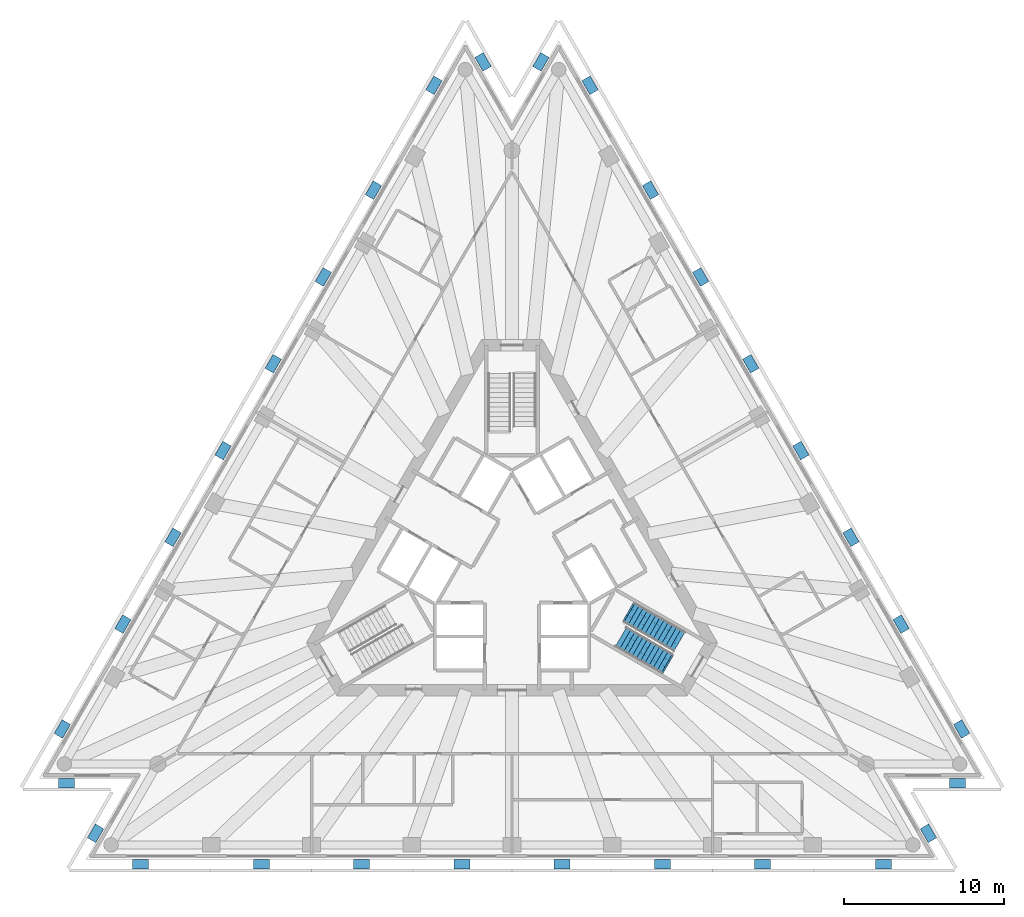
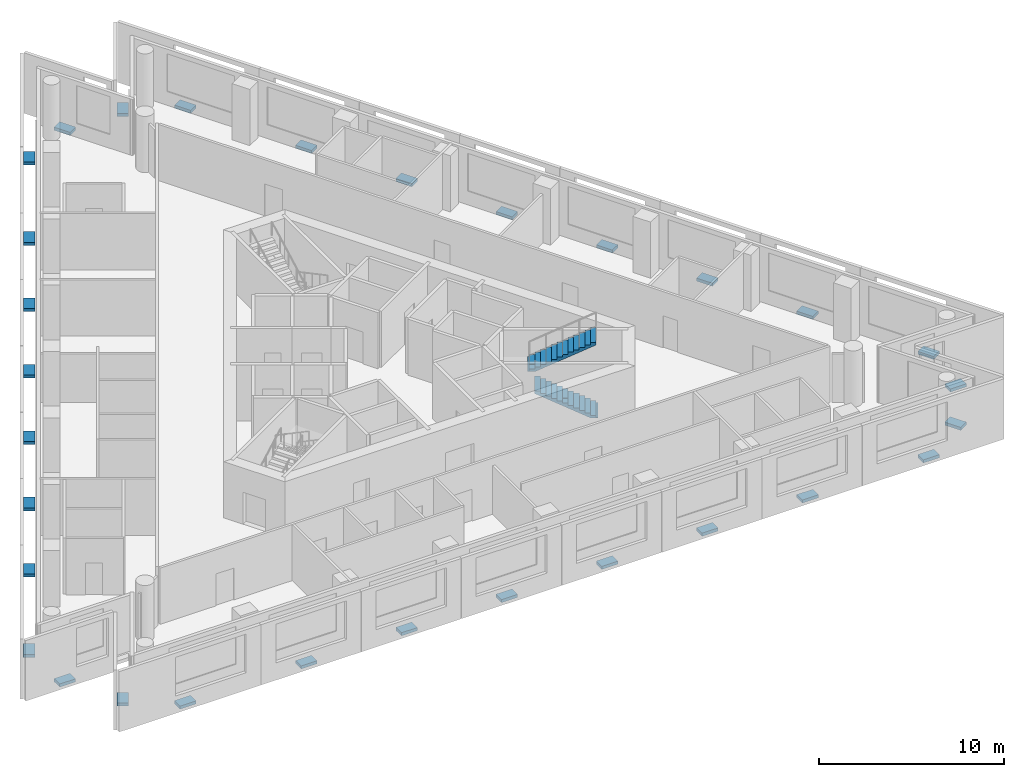
# One storey, part 8 of 10: 30 discrete accessories, 2 stair flights, 1 element without a shape of its own.
"""IFC4 building model written with IfcOpenShell, lengths in metres."""

from ifc_helpers import new_model, si_unit, direction, frame, origin, origin_2d, place, context, subcontext, project, spatial, polyline, rectangle, outline, extrude, material, type_object, element, aggregate, save


model = new_model("IFC4")

# Units and contexts
model_context = context("Model", 3, precision=1e-05, world=origin(), true_north=direction((0.0, 1.0)))
body_context = subcontext(model_context, "Body", "Model", "MODEL_VIEW")
ifc_project = project(units=[si_unit("LENGTHUNIT", "METRE"), si_unit("AREAUNIT", "SQUARE_METRE"), si_unit("VOLUMEUNIT", "CUBIC_METRE"), si_unit("PLANEANGLEUNIT", "RADIAN"), si_unit("MASSUNIT", "GRAM", prefix="KILO")], contexts=[model_context])

# Site, building, storey
site_placement = place(None, origin())
site = spatial("IfcSite", under=ifc_project, at=site_placement, CompositionType="ELEMENT")
building_placement = place(site_placement, origin())
building = spatial("IfcBuilding", under=site, at=building_placement, Name="Triada Interchange Tower", CompositionType="ELEMENT")
storey_placement = place(building_placement, frame((0.0, 0.0, 195.300048828125)))
storey = spatial("IfcBuildingStorey", under=building, at=storey_placement, Name="L45", CompositionType="ELEMENT", Elevation=195.300048828125)

# Stair, stair flights
ifc_material_1 = material(Name="Concrete C35/45", Category="concrete")
stair_type = type_object("IfcStairType", Name="HALF TURN STAIR 1400", PredefinedType="HALF_TURN_STAIR", material=ifc_material_1)
stair_placement = place(storey_placement, origin())
stair = element("IfcStair", 1, at=stair_placement, inside=storey, type_object=stair_type, Name="Exit stair S44-3", PredefinedType="HALF_TURN_STAIR")
stair_flight_type = type_object("IfcStairFlightType", Name="STRAIGHT STAIR FLIGHT 1400", PredefinedType="STRAIGHT", material=ifc_material_1)
stair_flight_1_placement = place(storey_placement, frame((9.64599609375, -6.492919921875, 0.0), z_axis=(0.0, 0.0, 1.0), x_axis=(-0.866025403784, 0.5, 0.0)))
stair_flight_1 = element("IfcStairFlight", 2, at=stair_flight_1_placement, type_object=stair_flight_type, Name="S44-3 flight 1", NumberOfRisers=12, NumberOfTreads=11, PredefinedType="STRAIGHT", RiserHeight=0.16, TreadLength=0.3, context=body_context, shape_type="SweptSolid", body=[
    extrude(outline(polyline([(-0.10009765625, 0.0), (-0.10009765625, 0.02001953125), (0.0, 0.02001953125), (0.0, 0.159912109375), (0.300048828125, 0.159912109375), (0.300048828125, 0.320068359375), (0.60009765625, 0.320068359375), (0.60009765625, 0.47998046875), (0.89990234375, 0.47998046875), (0.89990234375, 0.639892578125), (1.199951171875, 0.639892578125), (1.199951171875, 0.800048828125), (1.5, 0.800048828125), (1.5, 0.9599609375), (1.800048828125, 0.9599609375), (1.800048828125, 1.1201171875), (2.10009765625, 1.1201171875), (2.10009765625, 1.280029296875), (2.39990234375, 1.280029296875), (2.39990234375, 1.43994140625), (2.699951171875, 1.43994140625), (2.699951171875, 1.60009765625), (3.0, 1.60009765625), (3.0, 1.760009765625), (3.300048828125, 1.760009765625), (3.303955078125, 1.760009765625), (3.303955078125, 1.919921875), (3.303955078125, 1.590087890625), (0.318603515625, 0.0), (-0.10009765625, 0.0)])), frame((0.0, 0.699951171875, 0.0), z_axis=(0.0, -1.0, 0.0), x_axis=(1.0, 0.0, 0.0)), (0.0, 0.0, 1.0), 0.46533203125),
    extrude(outline(polyline([(-0.10009765625, 0.0), (-0.10009765625, 0.02001953125), (0.0, 0.02001953125), (0.0, 0.159912109375), (0.300048828125, 0.159912109375), (0.300048828125, 0.320068359375), (0.60009765625, 0.320068359375), (0.60009765625, 0.47998046875), (0.89990234375, 0.47998046875), (0.89990234375, 0.639892578125), (1.199951171875, 0.639892578125), (1.199951171875, 0.800048828125), (1.5, 0.800048828125), (1.5, 0.9599609375), (1.800048828125, 0.9599609375), (1.800048828125, 1.1201171875), (2.10009765625, 1.1201171875), (2.10009765625, 1.280029296875), (2.39990234375, 1.280029296875), (2.39990234375, 1.43994140625), (2.699951171875, 1.43994140625), (2.699951171875, 1.60009765625), (3.0, 1.60009765625), (3.0, 1.760009765625), (3.300048828125, 1.760009765625), (3.303955078125, 1.760009765625), (3.303955078125, 1.919921875), (3.303955078125, 1.590087890625), (0.318603515625, 0.0), (-0.10009765625, 0.0)])), frame((0.0, 0.232666015625, 0.0), z_axis=(0.0, -1.0, 0.0), x_axis=(1.0, 0.0, 0.0)), (0.0, 0.0, 1.0), 0.46533203125),
    extrude(outline(polyline([(-0.10009765625, 0.0), (-0.10009765625, 0.02001953125), (0.0, 0.02001953125), (0.0, 0.159912109375), (0.300048828125, 0.159912109375), (0.300048828125, 0.320068359375), (0.60009765625, 0.320068359375), (0.60009765625, 0.47998046875), (0.89990234375, 0.47998046875), (0.89990234375, 0.639892578125), (1.199951171875, 0.639892578125), (1.199951171875, 0.800048828125), (1.5, 0.800048828125), (1.5, 0.9599609375), (1.800048828125, 0.9599609375), (1.800048828125, 1.1201171875), (2.10009765625, 1.1201171875), (2.10009765625, 1.280029296875), (2.39990234375, 1.280029296875), (2.39990234375, 1.43994140625), (2.699951171875, 1.43994140625), (2.699951171875, 1.60009765625), (3.0, 1.60009765625), (3.0, 1.760009765625), (3.300048828125, 1.760009765625), (3.303955078125, 1.760009765625), (3.303955078125, 1.919921875), (3.303955078125, 1.590087890625), (0.318603515625, 0.0), (-0.10009765625, 0.0)])), frame((0.0, -0.234619140625, 0.0), z_axis=(0.0, -1.0, 0.0), x_axis=(1.0, 0.0, 0.0)), (0.0, 0.0, 1.0), 0.46533203125),
])
stair_flight_2_placement = place(storey_placement, frame((7.327880859375, -3.306884765625, 1.919921875), z_axis=(0.0, 0.0, 1.0), x_axis=(0.866025403784, -0.5, 0.0)))
stair_flight_2 = element("IfcStairFlight", 3, at=stair_flight_2_placement, type_object=stair_flight_type, Name="S44-3 flight 2", NumberOfRisers=13, NumberOfTreads=12, PredefinedType="STRAIGHT", RiserHeight=0.16, TreadLength=0.3, context=body_context, shape_type="SweptSolid", body=[
    extrude(outline(polyline([(-0.10009765625, 0.0), (-0.10009765625, 0.02001953125), (0.0, 0.02001953125), (0.0, 0.159912109375), (0.300048828125, 0.159912109375), (0.300048828125, 0.320068359375), (0.60009765625, 0.320068359375), (0.60009765625, 0.47998046875), (0.89990234375, 0.47998046875), (0.89990234375, 0.639892578125), (1.199951171875, 0.639892578125), (1.199951171875, 0.800048828125), (1.5, 0.800048828125), (1.5, 0.9599609375), (1.800048828125, 0.9599609375), (1.800048828125, 1.1201171875), (2.10009765625, 1.1201171875), (2.10009765625, 1.280029296875), (2.39990234375, 1.280029296875), (2.39990234375, 1.43994140625), (2.699951171875, 1.43994140625), (2.699951171875, 1.60009765625), (3.0, 1.60009765625), (3.0, 1.760009765625), (3.300048828125, 1.760009765625), (3.300048828125, 1.919921875), (3.60009765625, 1.919921875), (3.60400390625, 1.919921875), (3.60400390625, 2.080078125), (3.60400390625, 1.75), (0.318603515625, 0.0), (-0.10009765625, 0.0)])), frame((0.0, 0.699951171875, 0.0), z_axis=(0.0, -1.0, 0.0), x_axis=(1.0, 0.0, 0.0)), (0.0, 0.0, 1.0), 0.46533203125),
    extrude(outline(polyline([(-0.10009765625, 0.0), (-0.10009765625, 0.02001953125), (0.0, 0.02001953125), (0.0, 0.159912109375), (0.300048828125, 0.159912109375), (0.300048828125, 0.320068359375), (0.60009765625, 0.320068359375), (0.60009765625, 0.47998046875), (0.89990234375, 0.47998046875), (0.89990234375, 0.639892578125), (1.199951171875, 0.639892578125), (1.199951171875, 0.800048828125), (1.5, 0.800048828125), (1.5, 0.9599609375), (1.800048828125, 0.9599609375), (1.800048828125, 1.1201171875), (2.10009765625, 1.1201171875), (2.10009765625, 1.280029296875), (2.39990234375, 1.280029296875), (2.39990234375, 1.43994140625), (2.699951171875, 1.43994140625), (2.699951171875, 1.60009765625), (3.0, 1.60009765625), (3.0, 1.760009765625), (3.300048828125, 1.760009765625), (3.300048828125, 1.919921875), (3.60009765625, 1.919921875), (3.60400390625, 1.919921875), (3.60400390625, 2.080078125), (3.60400390625, 1.75), (0.318603515625, 0.0), (-0.10009765625, 0.0)])), frame((0.0, 0.232666015625, 0.0), z_axis=(0.0, -1.0, 0.0), x_axis=(1.0, 0.0, 0.0)), (0.0, 0.0, 1.0), 0.46533203125),
    extrude(outline(polyline([(-0.10009765625, 0.0), (-0.10009765625, 0.02001953125), (0.0, 0.02001953125), (0.0, 0.159912109375), (0.300048828125, 0.159912109375), (0.300048828125, 0.320068359375), (0.60009765625, 0.320068359375), (0.60009765625, 0.47998046875), (0.89990234375, 0.47998046875), (0.89990234375, 0.639892578125), (1.199951171875, 0.639892578125), (1.199951171875, 0.800048828125), (1.5, 0.800048828125), (1.5, 0.9599609375), (1.800048828125, 0.9599609375), (1.800048828125, 1.1201171875), (2.10009765625, 1.1201171875), (2.10009765625, 1.280029296875), (2.39990234375, 1.280029296875), (2.39990234375, 1.43994140625), (2.699951171875, 1.43994140625), (2.699951171875, 1.60009765625), (3.0, 1.60009765625), (3.0, 1.760009765625), (3.300048828125, 1.760009765625), (3.300048828125, 1.919921875), (3.60009765625, 1.919921875), (3.60400390625, 1.919921875), (3.60400390625, 2.080078125), (3.60400390625, 1.75), (0.318603515625, 0.0), (-0.10009765625, 0.0)])), frame((0.0, -0.234619140625, 0.0), z_axis=(0.0, -1.0, 0.0), x_axis=(1.0, 0.0, 0.0)), (0.0, 0.0, 1.0), 0.46533203125),
])
aggregate(stair, [stair_flight_1, stair_flight_2])

# Discrete accessories
ifc_material_2 = material(Name="Steel S355", Category="steel")
discrete_accessory_type = type_object("IfcDiscreteAccessoryType", Name="Steel bracket outer skin", PredefinedType="BRACKET", material=ifc_material_2)
for number, where, z_axis, x_axis, name in (
    (4, (-4.865966796875, 29.56103515625, -0.27001953125), (0.0, 0.0, 1.0), (-0.866023457736, 0.50000337064, 0.0), "Bracket L45 01"),
    (5, (-8.638916015625, 23.02490234375, -0.27001953125), (0.0, 0.0, 1.0), (-0.866023457736, 0.50000337064, 0.0), "Bracket L45 02"),
    (6, (-11.763916015625, 17.614013671875, -0.27001953125), (0.0, 0.0, 1.0), (-0.866023457736, 0.50000337064, 0.0), "Bracket L45 03"),
    (7, (-14.887939453125, 12.202880859375, -0.27001953125), (0.0, 0.0, 1.0), (-0.866023457736, 0.50000337064, 0.0), "Bracket L45 04"),
    (8, (-18.011962890625, 6.7919921875, -0.27001953125), (0.0, 0.0, 1.0), (-0.866023457736, 0.50000337064, 0.0), "Bracket L45 05"),
    (9, (-21.135986328125, 1.381103515625, -0.27001953125), (0.0, 0.0, 1.0), (-0.866023457736, 0.50000337064, 0.0), "Bracket L45 06"),
    (10, (-24.260009765625, -4.030029296875, -0.27001953125), (0.0, 0.0, 1.0), (-0.866023457736, 0.50000337064, 0.0), "Bracket L45 07"),
    (11, (-28.033935546875, -10.56591796875, -0.27001953125), (0.0, 0.0, 1.0), (-0.866023457736, 0.50000337064, 0.0), "Bracket L45 08"),
    (12, (-27.763916015625, -13.947021484375, -0.27001953125), (0.0, 0.0, 1.0), (0.0, -1.0, 0.0), "Bracket L45 09"),
    (13, (-25.9609375, -17.071044921875, -0.27001953125), (0.0, 0.0, 1.0), (-0.866059880705, 0.499940279467, 0.0), "Bracket L45 10"),
    (14, (-23.16796875, -18.9951171875, -0.27001953125), (0.0, 0.0, 1.0), (0.0, -1.0, 0.0), "Bracket L45 11"),
    (15, (-15.62109375, -18.9951171875, -0.27001953125), (0.0, 0.0, 1.0), (0.0, -1.0, 0.0), "Bracket L45 12"),
    (16, (-9.3720703125, -18.9951171875, -0.27001953125), (0.0, 0.0, 1.0), (0.0, -1.0, 0.0), "Bracket L45 13"),
    (17, (-3.1240234375, -18.9951171875, -0.27001953125), (0.0, 0.0, 1.0), (0.0, -1.0, 0.0), "Bracket L45 14"),
    (18, (3.1240234375, -18.9951171875, -0.27001953125), (0.0, 0.0, 1.0), (0.0, -1.0, 0.0), "Bracket L45 15"),
    (19, (9.3720703125, -18.9951171875, -0.27001953125), (0.0, 0.0, 1.0), (0.0, -1.0, 0.0), "Bracket L45 16"),
    (20, (15.62109375, -18.9951171875, -0.27001953125), (0.0, 0.0, 1.0), (0.0, -1.0, 0.0), "Bracket L45 17"),
    (21, (23.16796875, -18.9951171875, -0.27001953125), (0.0, 0.0, 1.0), (0.0, -1.0, 0.0), "Bracket L45 18"),
    (22, (25.9609375, -17.071044921875, -0.27001953125), (0.0, 0.0, 1.0), (0.866059880705, 0.499940279467, 0.0), "Bracket L45 19"),
    (23, (27.763916015625, -13.947021484375, -0.27001953125), (0.0, 0.0, 1.0), (0.0, -1.0, 0.0), "Bracket L45 20"),
    (24, (28.033935546875, -10.56591796875, -0.27001953125), (0.0, 0.0, 1.0), (0.866023457736, 0.50000337064, 0.0), "Bracket L45 21"),
    (25, (24.260009765625, -4.030029296875, -0.27001953125), (0.0, 0.0, 1.0), (0.866023457736, 0.50000337064, 0.0), "Bracket L45 22"),
    (26, (21.135986328125, 1.381103515625, -0.27001953125), (0.0, 0.0, 1.0), (0.866023457736, 0.50000337064, 0.0), "Bracket L45 23"),
    (27, (18.011962890625, 6.7919921875, -0.27001953125), (0.0, 0.0, 1.0), (0.866023457736, 0.50000337064, 0.0), "Bracket L45 24"),
    (28, (14.887939453125, 12.202880859375, -0.27001953125), (0.0, 0.0, 1.0), (0.866023457736, 0.50000337064, 0.0), "Bracket L45 25"),
    (29, (11.763916015625, 17.614013671875, -0.27001953125), (0.0, 0.0, 1.0), (0.866023457736, 0.50000337064, 0.0), "Bracket L45 26"),
    (30, (8.638916015625, 23.02490234375, -0.27001953125), (0.0, 0.0, 1.0), (0.866023457736, 0.50000337064, 0.0), "Bracket L45 27"),
    (31, (4.865966796875, 29.56103515625, -0.27001953125), (0.0, 0.0, 1.0), (0.866023457736, 0.50000337064, 0.0), "Bracket L45 28"),
    (32, (1.802978515625, 31.01806640625, -0.27001953125), (0.0, 0.0, 1.0), (-0.866016991175, 0.500014570784, 0.0), "Bracket L45 29"),
    (33, (-1.802978515625, 31.01806640625, -0.27001953125), (0.0, 0.0, 1.0), (0.866016991175, 0.500014570784, 0.0), "Bracket L45 30"),
):
    element("IfcDiscreteAccessory", number, at=place(storey_placement, frame(where, z_axis=z_axis, x_axis=x_axis)), inside=storey, type_object=discrete_accessory_type, Name=name, PredefinedType="BRACKET", context=body_context, shape_type="SweptSolid", body=[
        extrude(rectangle(XDim=0.60009765625, YDim=1.0, at=origin_2d()), origin(), (0.0, 0.0, 1.0), 0.199951171875),
    ])

save(model, "model.ifc")
